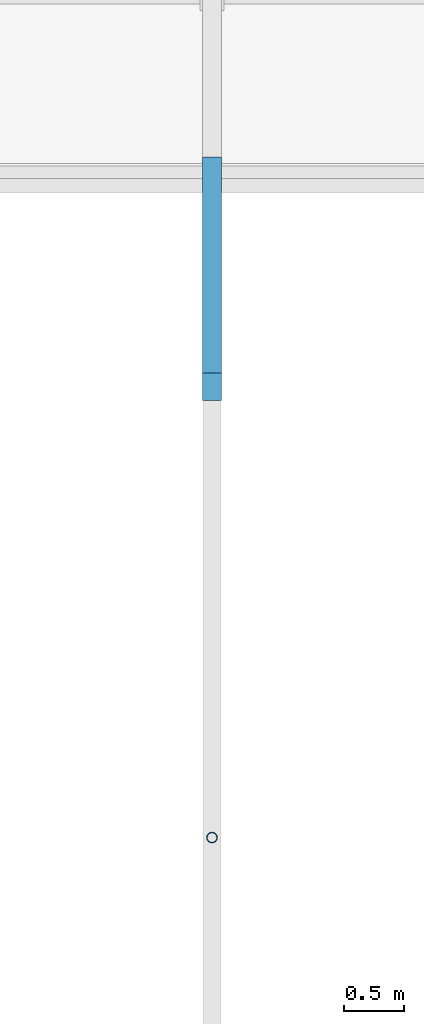
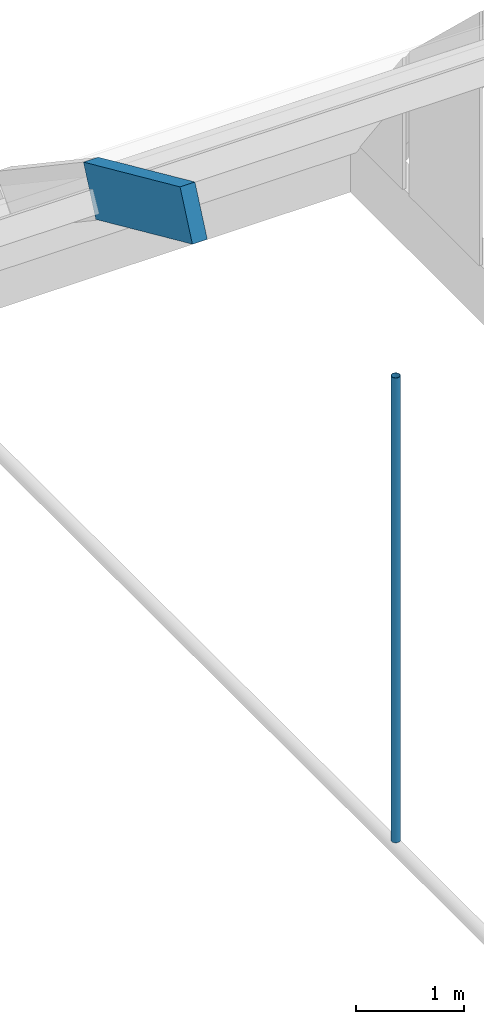
# One storey, part 28 of 102: 2 members.
"""IFC4 building model written with IfcOpenShell, lengths in metres."""

from ifc_helpers import new_model, si_unit, direction, frame, origin, origin_2d, place, context, subcontext, project, spatial, rectangle, hollow_circle, extrude, material, material_profile, profile_set, type_object, element, save


model = new_model("IFC4")

# Units and contexts
model_context = context("Model", 3, precision=1e-05, world=origin(), true_north=direction((0.0, 1.0)))
body_context = subcontext(model_context, "Body", "Model", "MODEL_VIEW")
ifc_project = project(units=[si_unit("LENGTHUNIT", "METRE"), si_unit("AREAUNIT", "SQUARE_METRE"), si_unit("VOLUMEUNIT", "CUBIC_METRE"), si_unit("PLANEANGLEUNIT", "RADIAN"), si_unit("MASSUNIT", "GRAM", prefix="KILO")], contexts=[model_context])

# Site, building, storey
site_placement = place(None, origin())
site = spatial("IfcSite", under=ifc_project, at=site_placement, CompositionType="ELEMENT")
building_placement = place(site_placement, origin())
building = spatial("IfcBuilding", under=site, at=building_placement, Name="Lantern Court Research Institute", CompositionType="ELEMENT")
storey_placement = place(building_placement, frame((0.0, 0.0, 9.89990234375)))
storey = spatial("IfcBuildingStorey", under=building, at=storey_placement, Name="L02", CompositionType="ELEMENT", Elevation=9.89990234375)

# Members
ifc_material_1 = material(Name="Glued laminated timber GL28h", Category="wood")
ifc_material_profile_1 = material_profile(ifc_material_1, rectangle(XDim=0.159912109375, YDim=0.56005859375, at=origin_2d()), Name="Glulam haunch rib 160 x 560")
ifc_profile_set_1 = profile_set([ifc_material_profile_1], Name="Glued laminated timber GL28h")
member_type_1 = type_object("IfcMemberType", Name="Glulam haunch rib 160 x 560", PredefinedType="RAFTER", material=ifc_profile_set_1)
member_1_placement = place(storey_placement, frame((73.919921875, 69.75244140625, 5.224853515625), z_axis=(0.0, 0.91202821745, -0.410127456501), x_axis=(-1.0, 0.0, 0.0)))
element("IfcMember", 1, at=member_1_placement, inside=storey, type_object=member_type_1, Name="Glulam rib", PredefinedType="RAFTER", context=body_context, shape_type="SweptSolid", body=[
    extrude(rectangle(XDim=0.159912109375, YDim=0.56005859375, at=origin_2d()), origin(), (0.0, 0.0, 1.0), 1.968505859375),
])
ifc_material_2 = material(Name="Structural steel S355", Category="steel")
ifc_material_profile_2 = material_profile(ifc_material_2, hollow_circle(Radius=0.04443359375, WallThickness=0.0048828125, at=origin_2d()), Name="Gridshell hanger CHS 88.9 x 5")
ifc_profile_set_2 = profile_set([ifc_material_profile_2], Name="Structural steel S355")
member_type_2 = type_object("IfcMemberType", Name="Gridshell hanger CHS 88.9 x 5", PredefinedType="STRUT", material=ifc_profile_set_2)
member_2_placement = place(storey_placement, frame((73.919921875, 66.0, 0.389892578125), z_axis=(0.0, 0.0, 1.0), x_axis=(1.0, 0.0, 0.0)))
element("IfcMember", 2, at=member_2_placement, inside=storey, type_object=member_type_2, Name="Theatre hanger", PredefinedType="STRUT", context=body_context, shape_type="SweptSolid", body=[
    extrude(hollow_circle(Radius=0.04443359375, WallThickness=0.0048828125, at=origin_2d()), origin(), (0.0, 0.0, 1.0), 5.270263671875),
])

save(model, "model.ifc")
